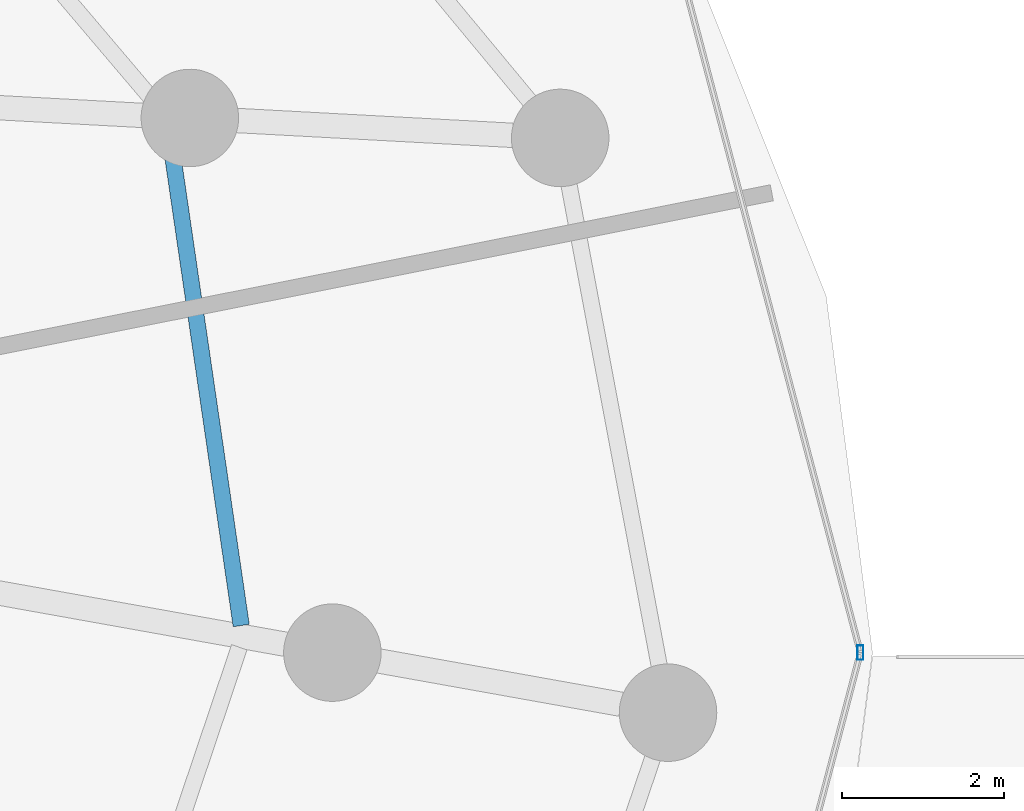
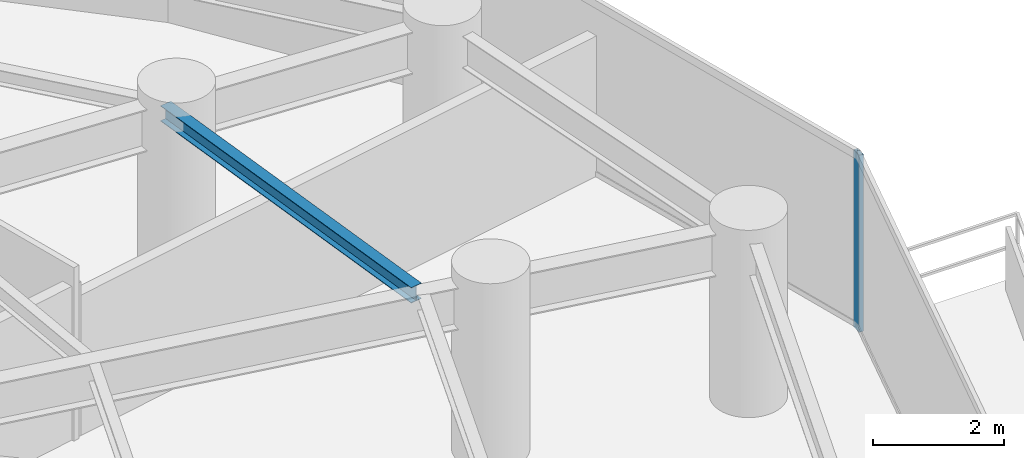
# One storey, part 16 of 34: 1 beam, 1 member, 1 element without a shape of its own.
"""IFC4 building model written with IfcOpenShell, lengths in metres."""

from ifc_helpers import new_model, si_unit, direction, frame, origin, origin_2d, place, context, subcontext, project, spatial, hollow_rectangle, i_section, extrude, material, material_profile, profile_set, type_object, element, aggregate, save


model = new_model("IFC4")

# Units and contexts
model_context = context("Model", 3, precision=1e-05, world=origin(), true_north=direction((0.0, 1.0)))
body_context = subcontext(model_context, "Body", "Model", "MODEL_VIEW")
ifc_project = project(units=[si_unit("LENGTHUNIT", "METRE"), si_unit("AREAUNIT", "SQUARE_METRE"), si_unit("VOLUMEUNIT", "CUBIC_METRE"), si_unit("PLANEANGLEUNIT", "RADIAN"), si_unit("MASSUNIT", "GRAM", prefix="KILO")], contexts=[model_context])

# Site, building, storey
site_placement = place(None, origin())
site = spatial("IfcSite", under=ifc_project, at=site_placement, CompositionType="ELEMENT")
building_placement = place(site_placement, origin())
building = spatial("IfcBuilding", under=site, at=building_placement, Name="Vorneva Point Tower", CompositionType="ELEMENT")
storey_placement = place(building_placement, frame((0.0, 0.0, 62.5)))
storey = spatial("IfcBuildingStorey", under=building, at=storey_placement, Name="L16", CompositionType="ELEMENT", Elevation=62.5)

# Beam
ifc_material_1 = material(Name="Steel S355", Category="steel")
ifc_material_profile_1 = material_profile(ifc_material_1, i_section(OverallWidth=0.199951171875, OverallDepth=0.291015625, WebThickness=0.008056640625, FlangeThickness=0.010986328125, at=origin_2d()), Name="30Sh1")
ifc_profile_set_1 = profile_set([ifc_material_profile_1], Name="Steel S355")
beam_type = type_object("IfcBeamType", Name="BM-SEC-30Sh1", PredefinedType="BEAM", material=ifc_profile_set_1)
beam_placement = place(storey_placement, frame((59.927734375, 26.333740234375, 3.094482421875), z_axis=(-0.144351936224, 0.989526411223, 0.0), x_axis=(-0.989526411223, -0.144351936224, 0.0)))
element("IfcBeam", 1, at=beam_placement, inside=storey, type_object=beam_type, Name="L16 Secondary Floor Beam 1.01", PredefinedType="BEAM", context=body_context, shape_type="SweptSolid", body=[
    extrude(i_section(OverallWidth=0.199951171875, OverallDepth=0.291015625, WebThickness=0.008056640625, FlangeThickness=0.010986328125, at=origin_2d()), origin(), (0.0, 0.0, 1.0), 6.19189453125),
])

# Curtain wall, member
ifc_material_2 = material(Name="Pale anodised aluminium", Category="aluminium")
curtain_wall_type = type_object("IfcCurtainWallType", Name="CW-HTL-SYS", PredefinedType="NOTDEFINED", material=ifc_material_2)
curtain_wall_placement = place(storey_placement, origin())
curtain_wall = element("IfcCurtainWall", 2, at=curtain_wall_placement, inside=storey, type_object=curtain_wall_type, Name="L16 Unitised Curtain Wall CW-L16-R01", PredefinedType="NOTDEFINED")
ifc_material_profile_2 = material_profile(ifc_material_2, hollow_rectangle(XDim=0.074951171875, YDim=0.179931640625, WallThickness=0.00390625, at=origin_2d()), Name="AL-MUL 180x75x4")
ifc_profile_set_2 = profile_set([ifc_material_profile_2], Name="Pale anodised aluminium")
member_type = type_object("IfcMemberType", Name="CW-MUL-180", PredefinedType="MULLION", material=ifc_profile_set_2)
member_placement = place(storey_placement, frame((67.550048828125, 26.0, -0.0400390625), z_axis=(0.0, 0.0, 1.0), x_axis=(1.0, 0.0, 0.0)))
member = element("IfcMember", 3, at=member_placement, type_object=member_type, Name="CW-L16-R01 Mullion 03", PredefinedType="MULLION", context=body_context, shape_type="SweptSolid", body=[
    extrude(hollow_rectangle(XDim=0.074951171875, YDim=0.179931640625, WallThickness=0.00390625, at=origin_2d()), origin(), (0.0, 0.0, 1.0), 3.31005859375),
])
aggregate(curtain_wall, [member])

save(model, "model.ifc")
